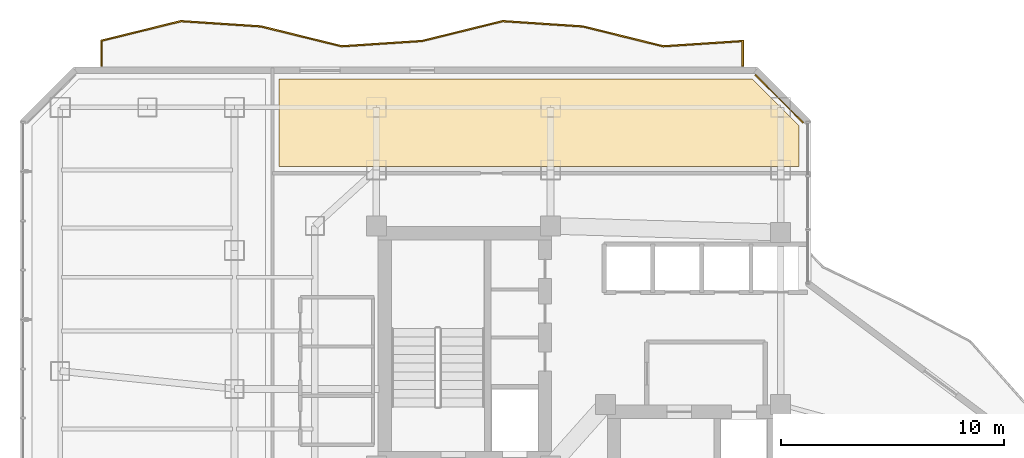
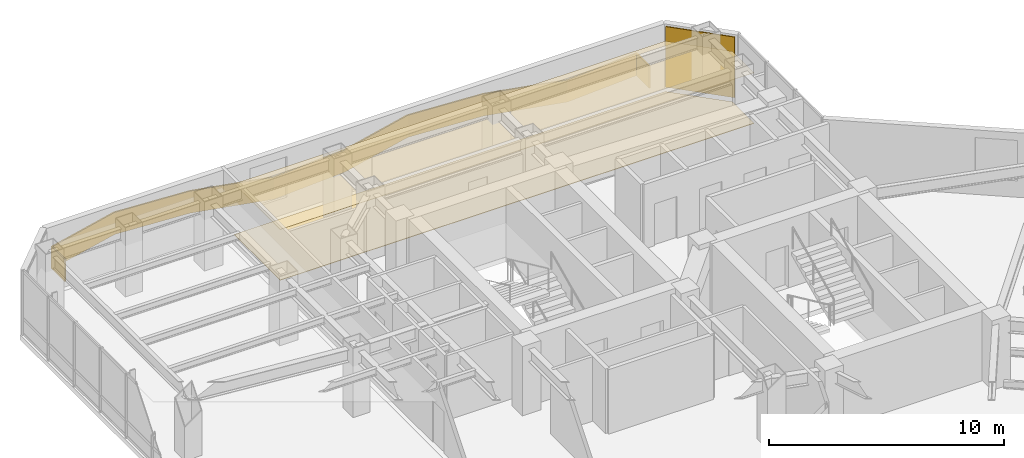
# One storey, part 29 of 29: 3 coverings, 1 railing.
"""IFC4 building model written with IfcOpenShell, lengths in metres."""

from ifc_helpers import new_model, si_unit, direction, frame, origin, origin_2d, place, context, subcontext, project, spatial, polyline, rectangle, outline, extrude, material, layer, layer_set, type_object, element, save


model = new_model("IFC4")

# Units and contexts
model_context = context("Model", 3, precision=1e-05, world=origin(), true_north=direction((0.0, 1.0)))
body_context = subcontext(model_context, "Body", "Model", "MODEL_VIEW")
ifc_project = project(units=[si_unit("LENGTHUNIT", "METRE"), si_unit("AREAUNIT", "SQUARE_METRE"), si_unit("VOLUMEUNIT", "CUBIC_METRE"), si_unit("PLANEANGLEUNIT", "RADIAN"), si_unit("MASSUNIT", "GRAM", prefix="KILO")], contexts=[model_context])

# Site, building, storey
site_placement = place(None, origin())
site = spatial("IfcSite", under=ifc_project, at=site_placement, CompositionType="ELEMENT")
building_placement = place(site_placement, origin())
building = spatial("IfcBuilding", under=site, at=building_placement, Name="Hatsunagi Terrace Concourse", CompositionType="ELEMENT")
storey_placement = place(building_placement, frame((0.0, 0.0, 115.64990234375)))
storey = spatial("IfcBuildingStorey", under=building, at=storey_placement, Name="L30", CompositionType="ELEMENT", Elevation=115.64990234375)

# Covering
ifc_material_1 = material(Name="Acoustic mineral board", Category="gypsum")
ifc_layer_1 = layer(ifc_material_1, 0.02001953125)
ifc_layer_set_1 = layer_set([ifc_layer_1], Name="AcousticMineralCeiling_20")
covering_type_1 = type_object("IfcCoveringType", Name="AcousticMineralCeiling_20", PredefinedType="CEILING", material=ifc_layer_set_1)
covering_1_placement = place(storey_placement, frame((0.0, 0.0, 2.630126953125)))
element("IfcCovering", 1, at=covering_1_placement, inside=storey, type_object=covering_type_1, Name="Suspended Ceiling L30-2", PredefinedType="CEILING", context=body_context, shape_type="SweptSolid", body=[
    extrude(outline(polyline([(42.3798828125, 49.8701171875), (21.199951171875, 49.8701171875), (21.199951171875, 45.949951171875), (44.469970703125, 45.949951171875), (44.469970703125, 47.780029296875), (42.3798828125, 49.8701171875)])), origin(), (0.0, 0.0, 1.0), 0.02001953125),
])

# Railing
ifc_material_2 = material(Name="Laminated Glass and Stainless Steel Guard", Category="steel")
ifc_layer_2 = layer(ifc_material_2, 0.070068359375)
ifc_layer_set_2 = layer_set([ifc_layer_2], Name="BalconyGlassGuardRail_1150")
railing_type = type_object("IfcRailingType", Name="BalconyGlassGuardRail_1150", PredefinedType="BALUSTRADE", material=ifc_layer_set_2)
railing_placement = place(storey_placement, origin())
element("IfcRailing", 2, at=railing_placement, inside=storey, type_object=railing_type, Name="Engawa Balcony Guard GRD-01 L30-BN-1", PredefinedType="BALUSTRADE", context=body_context, shape_type="SweptSolid", body=[
    extrude(outline(polyline([(13.215087890625, 50.449951171875), (13.284912109375, 50.449951171875), (13.284912109375, 51.55859375), (16.80712890625, 52.427734375), (20.38671875, 52.190185546875), (23.992919921875, 51.3017578125), (27.61328125, 51.540283203125), (31.20703125, 52.427734375), (34.78662109375, 52.190185546875), (38.392822265625, 51.3017578125), (41.9150390625, 51.53466796875), (41.9150390625, 50.449951171875), (41.985107421875, 50.449951171875), (41.985107421875, 51.609375), (38.399169921875, 51.372314453125), (34.79736328125, 52.259765625), (31.200927734375, 52.498291015625), (27.6025390625, 51.609619140625), (23.9990234375, 51.372314453125), (20.3974609375, 52.259765625), (16.80078125, 52.498291015625), (13.215087890625, 51.61328125), (13.215087890625, 50.449951171875)])), origin(), (0.0, 0.0, 1.0), 1.150146484375),
])

# Coverings
ifc_material_3 = material(Name="Granite stone paving", Category="masonry")
ifc_layer_3 = layer(ifc_material_3, 0.02490234375)
ifc_layer_set_3 = layer_set([ifc_layer_3], Name="GraniteStoneFlooring_25")
covering_type_2 = type_object("IfcCoveringType", Name="GraniteStoneFlooring_25", PredefinedType="FLOORING", material=ifc_layer_set_3)
covering_2_placement = place(storey_placement, origin())
element("IfcCovering", 3, at=covering_2_placement, inside=storey, type_object=covering_type_2, Name="Finished Flooring L30-2", PredefinedType="FLOORING", context=body_context, shape_type="SweptSolid", body=[
    extrude(outline(polyline([(42.3798828125, 49.8701171875), (21.199951171875, 49.8701171875), (21.199951171875, 45.949951171875), (44.469970703125, 45.949951171875), (44.469970703125, 47.780029296875), (42.3798828125, 49.8701171875)])), origin(), (0.0, 0.0, 1.0), 0.025146484375),
])
ifc_material_4 = material(Name="Unglazed Warm Terracotta Rainscreen Tile", Category="masonry")
ifc_layer_4 = layer(ifc_material_4, 0.044921875)
ifc_layer_set_4 = layer_set([ifc_layer_4], Name="TerracottaRainscreenCladding_45")
covering_type_3 = type_object("IfcCoveringType", Name="TerracottaRainscreenCladding_45", PredefinedType="CLADDING", material=ifc_layer_set_4)
covering_3_placement = place(storey_placement, frame((43.5859375, 48.986083984375, 0.10009765625), z_axis=(0.0, 0.0, 1.0), x_axis=(0.707106781187, -0.707106781187, 0.0)))
element("IfcCovering", 4, at=covering_3_placement, inside=storey, type_object=covering_type_3, Name="Terracotta Rainscreen Cladding L30-12", PredefinedType="CLADDING", context=body_context, shape_type="SweptSolid", body=[
    extrude(rectangle(XDim=3.0380859375, YDim=0.044921875, at=origin_2d()), origin(), (0.0, 0.0, 1.0), 3.14990234375),
])

save(model, "model.ifc")
